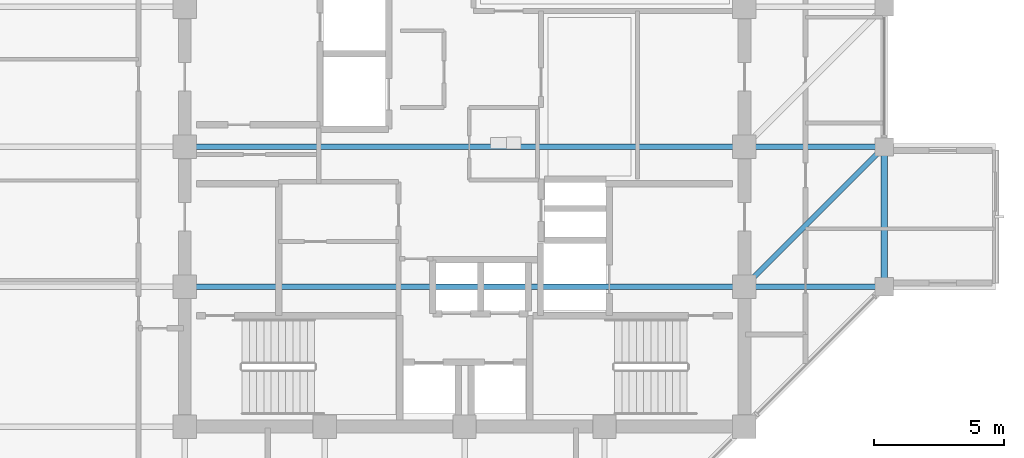
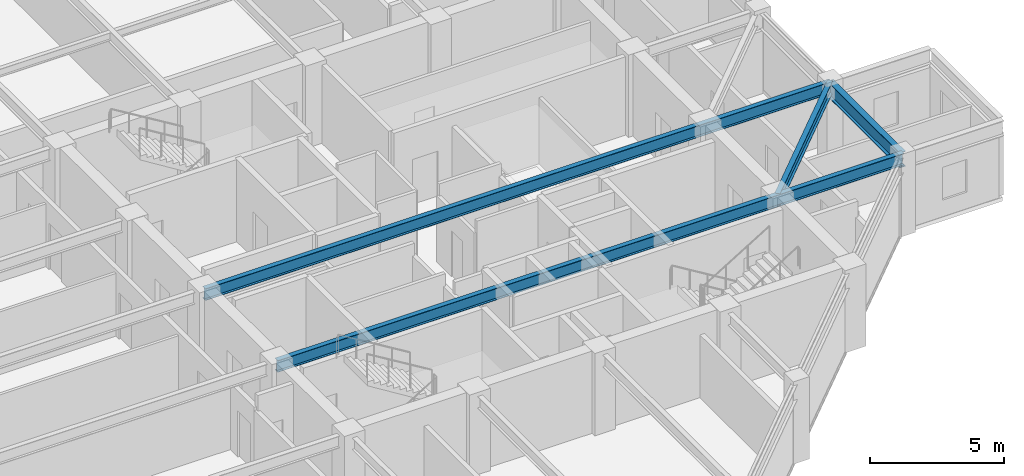
# One storey, part 10 of 31: 4 beams.
"""IFC4 building model written with IfcOpenShell, lengths in metres."""

import ifcopenshell
import ifcopenshell.guid

model = None  # the IFC model being written
_history = None  # IfcOwnerHistory: only IFC2X3 demands one
_inside = {}  # id of a spatial element -> (the spatial element, [elements in it])
_under = {}  # id of a project, library or spatial element -> (it, [spatial elements below it])
_declared = {}  # id of a project -> (the project, [libraries it declares])
_typed = {}  # id of a type object -> (the type object, [elements of that type])
_made_of = {}  # id of a material, layer set ... -> (it, [elements and type objects made of it])


def new_model(schema):
    """Start an empty IFC model of exactly this schema.

    Asked for "IFC4X3", IfcOpenShell would pick the latest addendum, in which some entities
    have other attributes; the version numbers below select the first issue.
    IFC2X3 requires an IfcOwnerHistory on every rooted entity: one is made here for all.
    """
    global model, _history
    if schema == "IFC4X3":
        model = ifcopenshell.file(schema_version=(4, 3, 0, 0))
    else:
        model = ifcopenshell.file(schema=schema)
    _inside.clear()
    _under.clear()
    _declared.clear()
    _typed.clear()
    _made_of.clear()
    _history = None
    if model.schema == "IFC2X3":
        org = make("IfcOrganization", Name="unknown")
        user = make(
            "IfcPersonAndOrganization",
            ThePerson=make("IfcPerson", FamilyName="unknown"),
            TheOrganization=org,
        )
        app = make(
            "IfcApplication",
            ApplicationDeveloper=org,
            Version="unknown",
            ApplicationFullName="unknown",
            ApplicationIdentifier="unknown",
        )
        _history = make(
            "IfcOwnerHistory",
            OwningUser=user,
            OwningApplication=app,
            ChangeAction="ADDED",
            CreationDate=0,
        )
    return model


def make(cls, **values):
    """One entity of the class cls with the attributes given. An attribute that is None is left unset."""
    return model.create_entity(
        cls, **{name: value for name, value in values.items() if value is not None}
    )


def rooted(cls, **values):
    """An entity with a GlobalId (a new one), such as an element, a storey or a relation."""
    return make(cls, GlobalId=ifcopenshell.guid.new(), OwnerHistory=_history, **values)


def si_unit(unit_type, name, prefix=None):
    """IfcSIUnit, for example si_unit("LENGTHUNIT", "METRE", prefix="MILLI")."""
    return make("IfcSIUnit", UnitType=unit_type, Prefix=prefix, Name=name)


def assignment(units):
    """IfcUnitAssignment: the units of a project."""
    return None if units is None else make("IfcUnitAssignment", Units=units)


def point(xyz):
    """IfcCartesianPoint."""
    return None if xyz is None else make("IfcCartesianPoint", Coordinates=xyz)


def direction(xyz):
    """IfcDirection."""
    return None if xyz is None else make("IfcDirection", DirectionRatios=xyz)


def frame(location, z_axis=None, x_axis=None):
    """IfcAxis2Placement3D, a coordinate frame: its origin and axes. An axis left out is left unset."""
    return make(
        "IfcAxis2Placement3D",
        Location=point(location),
        Axis=direction(z_axis),
        RefDirection=direction(x_axis),
    )


def frame_2d(location, x_axis=None):
    """IfcAxis2Placement2D, a coordinate frame in the plane: its origin and x axis."""
    return make(
        "IfcAxis2Placement2D", Location=point(location), RefDirection=direction(x_axis)
    )


def origin():
    """The frame at (0, 0, 0) with its axes left unset."""
    return frame((0.0, 0.0, 0.0))


def origin_2d():
    """The frame at (0, 0) in the plane with its x axis left unset."""
    return frame_2d((0.0, 0.0))


def place(relative_to, where):
    """IfcLocalPlacement: puts the frame where relative to a parent placement (None: the world)."""
    return make(
        "IfcLocalPlacement", PlacementRelTo=relative_to, RelativePlacement=where
    )


def context(
    kind, dimensions, precision=None, world=None, true_north=None, identifier=None
):
    """IfcGeometricRepresentationContext, for example the 3D "Model" context."""
    return make(
        "IfcGeometricRepresentationContext",
        ContextIdentifier=identifier,
        ContextType=kind,
        CoordinateSpaceDimension=dimensions,
        Precision=precision,
        WorldCoordinateSystem=world,
        TrueNorth=true_north,
    )


def subcontext(parent, identifier, kind, view, scale=None):
    """IfcGeometricRepresentationSubContext, for example "Body" below "Model"."""
    return make(
        "IfcGeometricRepresentationSubContext",
        ContextIdentifier=identifier,
        ContextType=kind,
        ParentContext=parent,
        TargetScale=scale,
        TargetView=view,
    )


def project(units=None, contexts=None):
    """IfcProject with its units and contexts."""
    return rooted(
        "IfcProject",
        Name="project",
        RepresentationContexts=contexts,
        UnitsInContext=assignment(units),
    )


def spatial(cls, under=None, at=None, **own):
    """A site, building, storey or space (cls), placed at a placement, below another one or the project."""
    s = rooted(cls, ObjectPlacement=at, **own)
    if under is not None:
        _under.setdefault(under.id(), (under, []))[1].append(s)
    return s


def profile(cls, at=None, kind="AREA", **sizes):
    """A parametric profile (cls). Its sizes go by their IFC names, for example OverallWidth=200.0."""
    return make(cls, ProfileType=kind, Position=at, **sizes)


def i_section(**sizes):
    """IfcIShapeProfileDef."""
    return profile("IfcIShapeProfileDef", **sizes)


def extrude(swept, where, along, depth):
    """IfcExtrudedAreaSolid: the profile swept, set in the frame where, extruded along a direction by depth."""
    return make(
        "IfcExtrudedAreaSolid",
        SweptArea=swept,
        Position=where,
        ExtrudedDirection=direction(along),
        Depth=depth,
    )


def shape(context_of_items, identifier, shape_type, items):
    """IfcShapeRepresentation: the items that make up one representation, for example the "Body"."""
    return make(
        "IfcShapeRepresentation",
        ContextOfItems=context_of_items,
        RepresentationIdentifier=identifier,
        RepresentationType=shape_type,
        Items=items,
    )


def material(Name=None, Category=None):
    """IfcMaterial."""
    return make("IfcMaterial", Name=Name, Category=Category)


def material_profile(
    of_material, cross_section, Name=None, Category=None, Priority=None
):
    """IfcMaterialProfile: a cross section and its material."""
    return make(
        "IfcMaterialProfile",
        Name=Name,
        Material=of_material,
        Profile=cross_section,
        Priority=Priority,
        Category=Category,
    )


def profile_set(profiles, Name=None, composite=None):
    """IfcMaterialProfileSet."""
    return make(
        "IfcMaterialProfileSet",
        Name=Name,
        MaterialProfiles=profiles,
        CompositeProfile=composite,
    )


def made_of(thing, what):
    """Note that an element or type object is made of a material, layer set ...; save() writes the relation."""
    if what is not None:
        _made_of.setdefault(what.id(), (what, []))[1].append(thing)
    return thing


def type_object(cls, material=None, **own):
    """A type object (cls), such as IfcWallType, which elements share."""
    return made_of(rooted(cls, **own), material)


def element(
    cls,
    number,
    at=None,
    inside=None,
    cuts=None,
    type_object=None,
    material=None,
    context=None,
    identifier="Body",
    shape_type=None,
    held_by="IfcProductDefinitionShape",
    body=None,
    shapes=None,
    **own,
):
    """One element of the class cls, such as IfcWall. Its Tag is "e" and its number.

    at: its placement. inside: the storey or other place that contains it. cuts: it is an
    opening in that element (IfcRelVoidsElement). A single representation is given by context,
    identifier, shape_type and body (its items); several are given by shapes. held_by: the class
    of the entity that holds the representations. save() writes the other relations.
    """
    e = rooted(cls, Tag="e%d" % number, ObjectPlacement=at, **own)
    if body is not None:
        shapes = [shape(context, identifier, shape_type, body)]
    if shapes is not None:
        e.Representation = make(held_by, Representations=shapes)
    if inside is not None:
        _inside.setdefault(inside.id(), (inside, []))[1].append(e)
    if cuts is not None:
        rooted(
            "IfcRelVoidsElement", RelatingBuildingElement=cuts, RelatedOpeningElement=e
        )
    if type_object is not None:
        _typed.setdefault(type_object.id(), (type_object, []))[1].append(e)
    return made_of(e, material)


def aggregate(whole, parts):
    """IfcRelAggregates: a whole, such as a stair, and the parts it consists of."""
    return rooted("IfcRelAggregates", RelatingObject=whole, RelatedObjects=parts)


def save(model, path):
    """Write the relations noted so far, then the file.

    IfcRelAggregates (storeys below a building ...), IfcRelContainedInSpatialStructure (elements
    in a storey), IfcRelDefinesByType, IfcRelAssociatesMaterial and IfcRelDeclares: one each for
    every whole, place, type object, material and project.
    """
    for whole, parts in _under.values():
        aggregate(whole, parts)
    for where, things in _inside.values():
        rooted(
            "IfcRelContainedInSpatialStructure",
            RelatedElements=things,
            RelatingStructure=where,
        )
    for kind, things in _typed.values():
        rooted("IfcRelDefinesByType", RelatedObjects=things, RelatingType=kind)
    for what, things in _made_of.values():
        rooted("IfcRelAssociatesMaterial", RelatedObjects=things, RelatingMaterial=what)
    for by, libraries in _declared.values():
        rooted("IfcRelDeclares", RelatingContext=by, RelatedDefinitions=libraries)
    model.write(path)


model = new_model("IFC4")

# Units and contexts
model_context = context("Model", 3, precision=1e-05, world=origin(), true_north=direction((0.0, 1.0)))
body_context = subcontext(model_context, "Body", "Model", "MODEL_VIEW")
ifc_project = project(units=[si_unit("LENGTHUNIT", "METRE"), si_unit("AREAUNIT", "SQUARE_METRE"), si_unit("VOLUMEUNIT", "CUBIC_METRE"), si_unit("PLANEANGLEUNIT", "RADIAN"), si_unit("MASSUNIT", "GRAM", prefix="KILO")], contexts=[model_context])

# Site, building, storey
site_placement = place(None, origin())
site = spatial("IfcSite", under=ifc_project, at=site_placement, CompositionType="ELEMENT")
building_placement = place(site_placement, origin())
building = spatial("IfcBuilding", under=site, at=building_placement, Name="Surkhivell Harbour Commons", CompositionType="ELEMENT")
storey_placement = place(building_placement, frame((0.0, 0.0, 318.75)))
storey = spatial("IfcBuildingStorey", under=building, at=storey_placement, Name="L83", CompositionType="ELEMENT", Elevation=318.75)

# Beams
ifc_material = material(Name="Steel S355", Category="steel")
ifc_material_profile_1 = material_profile(ifc_material, i_section(OverallWidth=0.2099609375, OverallDepth=0.537109375, WebThickness=0.0107421875, FlangeThickness=0.017333984375, at=origin_2d()), Name="UB533x210x101")
ifc_profile_set_1 = profile_set([ifc_material_profile_1], Name="Steel S355")
beam_type_1 = type_object("IfcBeamType", Name="BM-GRD-533B", PredefinedType="BEAM", material=ifc_profile_set_1)
for number, where, z_axis, x_axis, name in (
    (1, (-10.800048828125, -5.39990234375, 3.301513671875), (1.0, 0.0, 0.0), (0.0, 1.0, 0.0), "L83 Cantilever Back-Span Girder (-10.8,-5.4)"),
    (2, (-10.800048828125, 0.0, 3.301513671875), (1.0, 0.0, 0.0), (0.0, 1.0, 0.0), "L83 Cantilever Back-Span Girder (-10.8,0.0)"),
):
    element("IfcBeam", number, at=place(storey_placement, frame(where, z_axis=z_axis, x_axis=x_axis)), inside=storey, type_object=beam_type_1, Name=name, PredefinedType="BEAM", context=body_context, shape_type="SweptSolid", body=[
        extrude(i_section(OverallWidth=0.2099609375, OverallDepth=0.537109375, WebThickness=0.0107421875, FlangeThickness=0.017333984375, at=origin_2d()), origin(), (0.0, 0.0, 1.0), 27.0),
    ])
beam_1_placement = place(storey_placement, frame((10.800048828125, -5.39990234375, 3.301513671875), z_axis=(0.707106781187, 0.707106781187, 0.0), x_axis=(-0.707106781187, 0.707106781187, 0.0)))
element("IfcBeam", 3, at=beam_1_placement, inside=storey, type_object=beam_type_1, Name="L83 Floor Girder (10.8,-5.4)", PredefinedType="BEAM", context=body_context, shape_type="SweptSolid", body=[
    extrude(i_section(OverallWidth=0.2099609375, OverallDepth=0.537109375, WebThickness=0.0107421875, FlangeThickness=0.017333984375, at=origin_2d()), origin(), (0.0, 0.0, 1.0), 7.63671875),
])
ifc_material_profile_2 = material_profile(ifc_material, i_section(OverallWidth=0.256103515625, OverallDepth=0.693115234375, WebThickness=0.014404296875, FlangeThickness=0.023681640625, at=origin_2d()), Name="UB686x254x170")
ifc_profile_set_2 = profile_set([ifc_material_profile_2], Name="Steel S355")
beam_type_2 = type_object("IfcBeamType", Name="BM-SPN-686", PredefinedType="SPANDREL", material=ifc_profile_set_2)
beam_2_placement = place(storey_placement, frame((16.199951171875, -5.39990234375, 3.223388671875), z_axis=(0.0, 1.0, 0.0), x_axis=(-1.0, 0.0, 0.0)))
element("IfcBeam", 4, at=beam_2_placement, inside=storey, type_object=beam_type_2, Name="L83 Tube Spandrel (16.2,-5.4)", PredefinedType="SPANDREL", context=body_context, shape_type="SweptSolid", body=[
    extrude(i_section(OverallWidth=0.256103515625, OverallDepth=0.693115234375, WebThickness=0.014404296875, FlangeThickness=0.023681640625, at=origin_2d()), origin(), (0.0, 0.0, 1.0), 5.39990234375),
])

save(model, "model.ifc")
